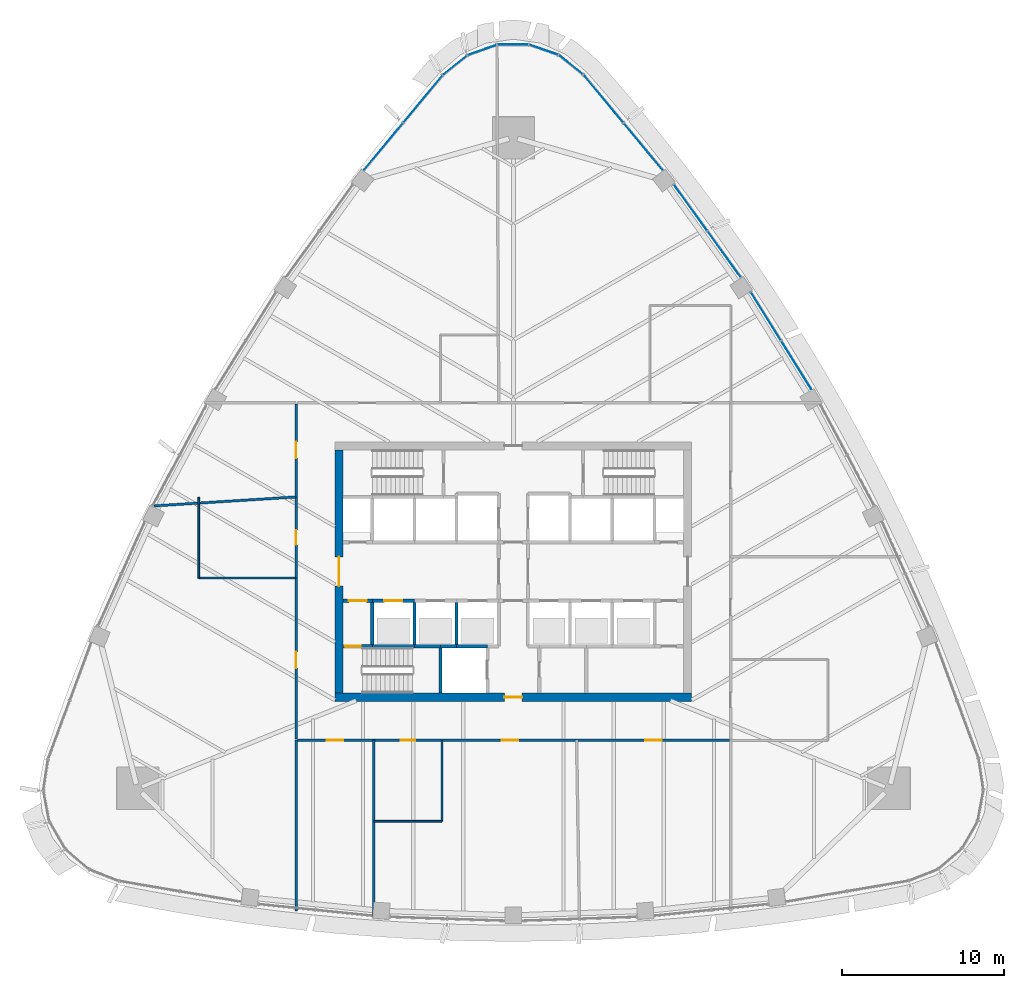
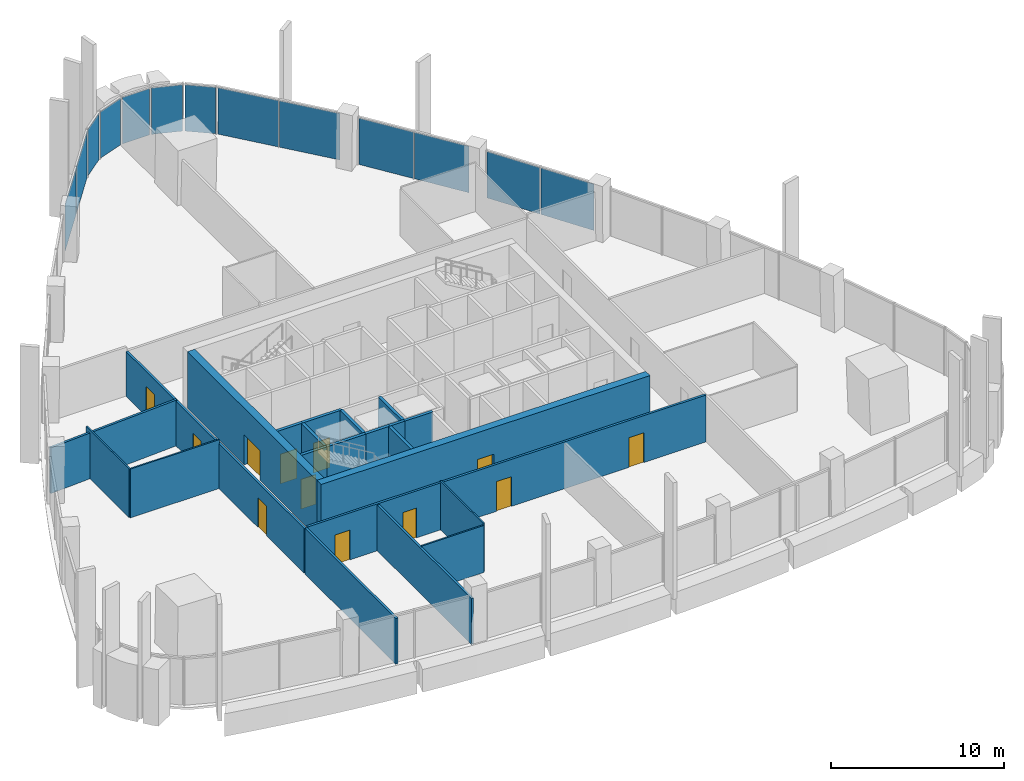
# One storey, part 9 of 19: 22 walls, 13 plates, 12 doors, 12 openings, 9 elements without a shape of their own.
"""IFC4 building model written with IfcOpenShell, lengths in metres."""

from ifc_helpers import new_model, si_unit, direction, frame, frame_2d, origin, origin_2d, place, context, subcontext, project, spatial, rectangle, extrude, material, layer, layer_set, type_object, element, fill, aggregate, save


model = new_model("IFC4")

# Units and contexts
model_context = context("Model", 3, precision=1e-05, world=origin(), true_north=direction((0.0, 1.0)))
body_context = subcontext(model_context, "Body", "Model", "MODEL_VIEW")
ifc_project = project(units=[si_unit("LENGTHUNIT", "METRE"), si_unit("AREAUNIT", "SQUARE_METRE"), si_unit("VOLUMEUNIT", "CUBIC_METRE"), si_unit("PLANEANGLEUNIT", "RADIAN"), si_unit("MASSUNIT", "GRAM", prefix="KILO")], contexts=[model_context])

# Site, building, storey
site_placement = place(None, origin())
site = spatial("IfcSite", under=ifc_project, at=site_placement, CompositionType="ELEMENT")
building_placement = place(site_placement, origin())
building = spatial("IfcBuilding", under=site, at=building_placement, Name="Sierra Prisma Convention Tower", CompositionType="ELEMENT")
storey_placement = place(building_placement, frame((0.0, 0.0, 193.800048828125)))
storey = spatial("IfcBuildingStorey", under=building, at=storey_placement, Name="L43", CompositionType="ELEMENT", Elevation=193.800048828125)

# Curtain wall, plates
ifc_material_1 = material(Name="Aluminium and glass curtain wall", Category="aluminium")
ifc_layer_1 = layer(ifc_material_1, 0.179931640625)
ifc_layer_set_1 = layer_set([ifc_layer_1], Name="CW-1 Plain shaft curtain wall")
curtain_wall_type = type_object("IfcCurtainWallType", Name="CW-1 Plain shaft curtain wall", PredefinedType="NOTDEFINED", material=ifc_layer_set_1)
curtain_wall_1_placement = place(storey_placement, origin())
curtain_wall_1 = element("IfcCurtainWall", 1, at=curtain_wall_1_placement, inside=storey, type_object=curtain_wall_type, Name="CW-1 NE4 L43", PredefinedType="NOTDEFINED")
ifc_material_2 = material(Name="Tinted glass bronze-grey IGU", Category="glass")
ifc_layer_2 = layer(ifc_material_2, 0.028076171875)
ifc_layer_set_2 = layer_set([ifc_layer_2], Name="CW-1 glass panel")
plate_type = type_object("IfcPlateType", Name="CW-1 glass panel", PredefinedType="CURTAIN_PANEL", material=ifc_layer_set_2)
plate_1_placement = place(storey_placement, frame((17.44921875, 12.73779296875, 0.0), z_axis=(0.0, 0.0, 1.0), x_axis=(-0.529043550017, 0.848594674851, 0.0)))
plate_1 = element("IfcPlate", 2, at=plate_1_placement, type_object=plate_type, Name="CW-1 panel NE4.1", PredefinedType="CURTAIN_PANEL", context=body_context, shape_type="SweptSolid", body=[
    extrude(rectangle(XDim=3.47607421875, YDim=0.028076171875, at=origin_2d()), origin(), (0.0, 0.0, 1.0), 3.280029296875),
])
plate_2_placement = place(storey_placement, frame((15.5732421875, 15.7470703125, 0.0), z_axis=(0.0, 0.0, 1.0), x_axis=(-0.529043550017, 0.848594674851, 0.0)))
plate_2 = element("IfcPlate", 3, at=plate_2_placement, type_object=plate_type, Name="CW-1 panel NE4.2", PredefinedType="CURTAIN_PANEL", context=body_context, shape_type="SweptSolid", body=[
    extrude(rectangle(XDim=3.47607421875, YDim=0.028076171875, at=origin_2d()), origin(), (0.0, 0.0, 1.0), 3.280029296875),
])
aggregate(curtain_wall_1, [plate_1, plate_2])

curtain_wall_2_placement = place(storey_placement, origin())
curtain_wall_2 = element("IfcCurtainWall", 4, at=curtain_wall_2_placement, inside=storey, type_object=curtain_wall_type, Name="CW-1 NE5 L43", PredefinedType="NOTDEFINED")
plate_3_placement = place(storey_placement, frame((12.999267578125, 19.581298828125, 0.0), z_axis=(0.0, 0.0, 1.0), x_axis=(-0.585277015926, 0.810833407445, 0.0)))
plate_3 = element("IfcPlate", 5, at=plate_3_placement, type_object=plate_type, Name="CW-1 panel NE5.1", PredefinedType="CURTAIN_PANEL", context=body_context, shape_type="SweptSolid", body=[
    extrude(rectangle(XDim=3.460693359375, YDim=0.028076171875, at=origin_2d()), origin(), (0.0, 0.0, 1.0), 3.280029296875),
])
plate_4_placement = place(storey_placement, frame((10.932861328125, 22.444091796875, 0.0), z_axis=(0.0, 0.0, 1.0), x_axis=(-0.585277015926, 0.810833407445, 0.0)))
plate_4 = element("IfcPlate", 6, at=plate_4_placement, type_object=plate_type, Name="CW-1 panel NE5.2", PredefinedType="CURTAIN_PANEL", context=body_context, shape_type="SweptSolid", body=[
    extrude(rectangle(XDim=3.460693359375, YDim=0.028076171875, at=origin_2d()), origin(), (0.0, 0.0, 1.0), 3.280029296875),
])
aggregate(curtain_wall_2, [plate_3, plate_4])

curtain_wall_3_placement = place(storey_placement, origin())
curtain_wall_3 = element("IfcCurtainWall", 7, at=curtain_wall_3_placement, inside=storey, type_object=curtain_wall_type, Name="CW-1 NE6 L43", PredefinedType="NOTDEFINED")
plate_5_placement = place(storey_placement, frame((8.00537109375, 26.21826171875, 0.0), z_axis=(0.0, 0.0, 1.0), x_axis=(-0.638825162992, 0.769351942305, 0.0)))
plate_5 = element("IfcPlate", 8, at=plate_5_placement, type_object=plate_type, Name="CW-1 panel NE6.1", PredefinedType="CURTAIN_PANEL", context=body_context, shape_type="SweptSolid", body=[
    extrude(rectangle(XDim=3.732177734375, YDim=0.028076171875, at=origin_2d()), origin(), (0.0, 0.0, 1.0), 3.280029296875),
])
plate_6_placement = place(storey_placement, frame((5.576416015625, 29.143310546875, 0.0), z_axis=(0.0, 0.0, 1.0), x_axis=(-0.638825162992, 0.769351942305, 0.0)))
plate_6 = element("IfcPlate", 9, at=plate_6_placement, type_object=plate_type, Name="CW-1 panel NE6.2", PredefinedType="CURTAIN_PANEL", context=body_context, shape_type="SweptSolid", body=[
    extrude(rectangle(XDim=3.732177734375, YDim=0.028076171875, at=origin_2d()), origin(), (0.0, 0.0, 1.0), 3.280029296875),
])
aggregate(curtain_wall_3, [plate_5, plate_6])

# Curtain wall, plate
curtain_wall_4_placement = place(storey_placement, origin())
curtain_wall_4 = element("IfcCurtainWall", 10, at=curtain_wall_4_placement, inside=storey, type_object=curtain_wall_type, Name="CW-1 N1 L43", PredefinedType="NOTDEFINED")
plate_7_placement = place(storey_placement, frame((3.578125, 31.24267578125, 0.0), z_axis=(0.0, 0.0, 1.0), x_axis=(-0.780606065445, 0.625023336037, 0.0)))
plate_7 = element("IfcPlate", 11, at=plate_7_placement, type_object=plate_type, Name="CW-1 panel N1.1", PredefinedType="CURTAIN_PANEL", context=body_context, shape_type="SweptSolid", body=[
    extrude(rectangle(XDim=1.81103515625, YDim=0.028076171875, at=origin_2d()), origin(), (0.0, 0.0, 1.0), 3.280029296875),
])
aggregate(curtain_wall_4, [plate_7])

curtain_wall_5_placement = place(storey_placement, origin())
curtain_wall_5 = element("IfcCurtainWall", 12, at=curtain_wall_5_placement, inside=storey, type_object=curtain_wall_type, Name="CW-1 N2 L43", PredefinedType="NOTDEFINED")
plate_8_placement = place(storey_placement, frame((1.89599609375, 32.175537109375, 0.0), z_axis=(0.0, 0.0, 1.0), x_axis=(-0.943558706561, 0.331205324945, 0.0)))
plate_8 = element("IfcPlate", 13, at=plate_8_placement, type_object=plate_type, Name="CW-1 panel N2.1", PredefinedType="CURTAIN_PANEL", context=body_context, shape_type="SweptSolid", body=[
    extrude(rectangle(XDim=1.81103515625, YDim=0.028076171875, at=origin_2d()), origin(), (0.0, 0.0, 1.0), 3.280029296875),
])
aggregate(curtain_wall_5, [plate_8])

curtain_wall_6_placement = place(storey_placement, origin())
curtain_wall_6 = element("IfcCurtainWall", 14, at=curtain_wall_6_placement, inside=storey, type_object=curtain_wall_type, Name="CW-1 N3 L43", PredefinedType="NOTDEFINED")
plate_9_placement = place(storey_placement, frame((0.0, 32.49853515625, 0.0), z_axis=(0.0, 0.0, 1.0), x_axis=(-1.0, 0.0, 0.0)))
plate_9 = element("IfcPlate", 15, at=plate_9_placement, type_object=plate_type, Name="CW-1 panel N3.1", PredefinedType="CURTAIN_PANEL", context=body_context, shape_type="SweptSolid", body=[
    extrude(rectangle(XDim=1.81103515625, YDim=0.028076171875, at=origin_2d()), origin(), (0.0, 0.0, 1.0), 3.280029296875),
])
aggregate(curtain_wall_6, [plate_9])

curtain_wall_7_placement = place(storey_placement, origin())
curtain_wall_7 = element("IfcCurtainWall", 16, at=curtain_wall_7_placement, inside=storey, type_object=curtain_wall_type, Name="CW-1 N4 L43", PredefinedType="NOTDEFINED")
plate_10_placement = place(storey_placement, frame((-1.89599609375, 32.175537109375, 0.0), z_axis=(0.0, 0.0, 1.0), x_axis=(-0.943558706561, -0.331205324945, 0.0)))
plate_10 = element("IfcPlate", 17, at=plate_10_placement, type_object=plate_type, Name="CW-1 panel N4.1", PredefinedType="CURTAIN_PANEL", context=body_context, shape_type="SweptSolid", body=[
    extrude(rectangle(XDim=1.81103515625, YDim=0.028076171875, at=origin_2d()), origin(), (0.0, 0.0, 1.0), 3.280029296875),
])
aggregate(curtain_wall_7, [plate_10])

curtain_wall_8_placement = place(storey_placement, origin())
curtain_wall_8 = element("IfcCurtainWall", 18, at=curtain_wall_8_placement, inside=storey, type_object=curtain_wall_type, Name="CW-1 N5 L43", PredefinedType="NOTDEFINED")
plate_11_placement = place(storey_placement, frame((-3.578125, 31.24267578125, 0.0), z_axis=(0.0, 0.0, 1.0), x_axis=(-0.780606065445, -0.625023336037, 0.0)))
plate_11 = element("IfcPlate", 19, at=plate_11_placement, type_object=plate_type, Name="CW-1 panel N5.1", PredefinedType="CURTAIN_PANEL", context=body_context, shape_type="SweptSolid", body=[
    extrude(rectangle(XDim=1.81103515625, YDim=0.028076171875, at=origin_2d()), origin(), (0.0, 0.0, 1.0), 3.280029296875),
])
aggregate(curtain_wall_8, [plate_11])

# Curtain wall, plates
curtain_wall_9_placement = place(storey_placement, origin())
curtain_wall_9 = element("IfcCurtainWall", 20, at=curtain_wall_9_placement, inside=storey, type_object=curtain_wall_type, Name="CW-1 NW1 L43", PredefinedType="NOTDEFINED")
plate_12_placement = place(storey_placement, frame((-5.576416015625, 29.143310546875, 0.0), z_axis=(0.0, 0.0, 1.0), x_axis=(-0.638825162992, -0.769351942305, 0.0)))
plate_12 = element("IfcPlate", 21, at=plate_12_placement, type_object=plate_type, Name="CW-1 panel NW1.1", PredefinedType="CURTAIN_PANEL", context=body_context, shape_type="SweptSolid", body=[
    extrude(rectangle(XDim=3.732177734375, YDim=0.028076171875, at=origin_2d()), origin(), (0.0, 0.0, 1.0), 3.280029296875),
])
plate_13_placement = place(storey_placement, frame((-8.00537109375, 26.21826171875, 0.0), z_axis=(0.0, 0.0, 1.0), x_axis=(-0.638825162992, -0.769351942305, 0.0)))
plate_13 = element("IfcPlate", 22, at=plate_13_placement, type_object=plate_type, Name="CW-1 panel NW1.2", PredefinedType="CURTAIN_PANEL", context=body_context, shape_type="SweptSolid", body=[
    extrude(rectangle(XDim=3.732177734375, YDim=0.028076171875, at=origin_2d()), origin(), (0.0, 0.0, 1.0), 3.280029296875),
])
aggregate(curtain_wall_9, [plate_12, plate_13])

# Walls
ifc_material_3 = material(Name="Gypsum board partition", Category="gypsum")
ifc_layer_3 = layer(ifc_material_3, 0.10009765625)
ifc_layer_set_3 = layer_set([ifc_layer_3], Name="Bathroom partition 100")
wall_type_1 = type_object("IfcWallType", Name="Bathroom partition 100", PredefinedType="PARTITIONING", material=ifc_layer_set_3)
wall_1_placement = place(storey_placement, frame((-13.429931640625, -0.39990234375, 0.0), z_axis=(0.0, 0.0, 1.0), x_axis=(-1.0, 0.0, 0.0)))
element("IfcWall", 23, at=wall_1_placement, inside=storey, type_object=wall_type_1, Name="Partition L43 bath 1", PredefinedType="PARTITIONING", context=body_context, shape_type="SweptSolid", body=[
    extrude(rectangle(XDim=5.969970703125, YDim=0.10009765625, at=frame_2d((2.98486328125, 0.0))), origin(), (0.0, 0.0, 1.0), 3.449951171875),
])
for number, where, z_axis, x_axis, name in (
    (24, (-19.39990234375, -0.39990234375, 0.0), (0.0, 0.0, 1.0), (0.0, 1.0, 0.0), "Partition L43 bath 2"),
    (25, (-4.39990234375, -10.429931640625, 0.0), (0.0, 0.0, 1.0), (0.0, -1.0, 0.0), "Partition L43 bath 3"),
):
    element("IfcWall", number, at=place(storey_placement, frame(where, z_axis=z_axis, x_axis=x_axis)), inside=storey, type_object=wall_type_1, Name=name, PredefinedType="PARTITIONING", context=body_context, shape_type="SweptSolid", body=[
        extrude(rectangle(XDim=4.969970703125, YDim=0.10009765625, at=frame_2d((2.48486328125, 0.0))), origin(), (0.0, 0.0, 1.0), 3.449951171875),
    ])
wall_2_placement = place(storey_placement, frame((-4.39990234375, -15.39990234375, 0.0), z_axis=(0.0, 0.0, 1.0), x_axis=(-1.0, 0.0, 0.0)))
element("IfcWall", 26, at=wall_2_placement, inside=storey, type_object=wall_type_1, Name="Partition L43 bath 4", PredefinedType="PARTITIONING", context=body_context, shape_type="SweptSolid", body=[
    extrude(rectangle(XDim=4.170166015625, YDim=0.10009765625, at=frame_2d((2.0849609375, 0.0))), origin(), (0.0, 0.0, 1.0), 3.31689453125),
])

# Wall, opening, door
ifc_material_4 = material(Name="Concrete C30/37", Category="concrete")
ifc_layer_4 = layer(ifc_material_4, 0.199951171875)
ifc_layer_set_4 = layer_set([ifc_layer_4], Name="Core wall RC 200 C30/37")
wall_type_2 = type_object("IfcWallType", Name="Core wall RC 200 C30/37", PredefinedType="SOLIDWALL", material=ifc_layer_set_4)
wall_3_placement = place(storey_placement, frame((-10.5, -4.60009765625, 0.0), z_axis=(0.0, 0.0, 1.0), x_axis=(1.0, 0.0, 0.0)))
wall_3 = element("IfcWall", 27, at=wall_3_placement, inside=storey, type_object=wall_type_2, Name="Core wall L43 1", PredefinedType="SOLIDWALL", context=body_context, shape_type="SweptSolid", body=[
    extrude(rectangle(XDim=1.800048828125, YDim=0.199951171875, at=frame_2d((0.89990234375, 0.0))), origin(), (0.0, 0.0, 1.0), 3.849853515625),
])
opening_1_placement = place(wall_3_placement, frame((0.10009765625, 0.0, 0.0)))
opening_1 = element("IfcOpeningElement", 28, at=opening_1_placement, cuts=wall_3, Name="Opening L43-D017", PredefinedType="OPENING", context=body_context, shape_type="SweptSolid", body=[
    extrude(rectangle(XDim=1.0, YDim=2.10009765625, at=frame_2d((0.5, 1.050048828125))), frame((0.0, 0.10009765625, 0.0), z_axis=(0.0, -1.0, 0.0), x_axis=(1.0, 0.0, 0.0)), (0.0, 0.0, 1.0), 0.199951171875),
])
ifc_material_5 = material(Name="Steel fire door leaf", Category="steel")
door_type_1 = type_object("IfcDoorType", Name="Door 1000x2100 FD90S", OperationType="SINGLE_SWING_LEFT", PredefinedType="DOOR", material=ifc_material_5)
door_1_placement = place(opening_1_placement, origin())
door_1 = element("IfcDoor", 29, at=door_1_placement, inside=storey, type_object=door_type_1, Name="Door L43 31", OperationType="SINGLE_SWING_LEFT", OverallHeight=2.10009765625, OverallWidth=1.0, PredefinedType="DOOR", context=body_context, shape_type="SweptSolid", body=[
    extrude(rectangle(XDim=1.0, YDim=2.10009765625, at=frame_2d((0.5, 1.050048828125))), frame((0.0, 0.02490234375, 0.0), z_axis=(0.0, -1.0, 0.0), x_axis=(1.0, 0.0, 0.0)), (0.0, 0.0, 1.0), 0.050048828125),
])
fill(opening_1, door_1)

wall_4_placement = place(storey_placement, frame((-10.5, -1.800048828125, 0.0), z_axis=(0.0, 0.0, 1.0), x_axis=(1.0, 0.0, 0.0)))
wall_4 = element("IfcWall", 30, at=wall_4_placement, inside=storey, type_object=wall_type_2, Name="Core wall L43 2", PredefinedType="SOLIDWALL", context=body_context, shape_type="SweptSolid", body=[
    extrude(rectangle(XDim=1.800048828125, YDim=0.199951171875, at=frame_2d((0.89990234375, 0.0))), origin(), (0.0, 0.0, 1.0), 3.849853515625),
])
opening_2_placement = place(wall_4_placement, frame((0.35009765625, 0.0, 0.0)))
opening_2 = element("IfcOpeningElement", 31, at=opening_2_placement, cuts=wall_4, Name="Opening L43-D012", PredefinedType="OPENING", context=body_context, shape_type="SweptSolid", body=[
    extrude(rectangle(XDim=1.10009765625, YDim=2.10009765625, at=frame_2d((0.550048828125, 1.050048828125))), frame((0.0, 0.10009765625, 0.0), z_axis=(0.0, -1.0, 0.0), x_axis=(1.0, 0.0, 0.0)), (0.0, 0.0, 1.0), 0.199951171875),
])
ifc_material_6 = material(Name="Steel fire door leaf", Category="steel")
door_type_2 = type_object("IfcDoorType", Name="Door 1100x2100 FD90S", OperationType="SINGLE_SWING_LEFT", PredefinedType="DOOR", material=ifc_material_6)
door_2_placement = place(opening_2_placement, origin())
door_2 = element("IfcDoor", 32, at=door_2_placement, inside=storey, type_object=door_type_2, Name="Door L43 26", OperationType="SINGLE_SWING_LEFT", OverallHeight=2.10009765625, OverallWidth=1.10009765625, PredefinedType="DOOR", context=body_context, shape_type="SweptSolid", body=[
    extrude(rectangle(XDim=1.10009765625, YDim=2.10009765625, at=frame_2d((0.550048828125, 1.050048828125))), frame((0.0, 0.02490234375, 0.0), z_axis=(0.0, -1.0, 0.0), x_axis=(1.0, 0.0, 0.0)), (0.0, 0.0, 1.0), 0.050048828125),
])
fill(opening_2, door_2)

# Walls
wall_5_placement = place(storey_placement, frame((-8.699951171875, -4.60009765625, 0.0), z_axis=(0.0, 0.0, 1.0), x_axis=(1.0, 0.0, 0.0)))
element("IfcWall", 33, at=wall_5_placement, inside=storey, type_object=wall_type_2, Name="Core wall L43 5", PredefinedType="SOLIDWALL", context=body_context, shape_type="SweptSolid", body=[
    extrude(rectangle(XDim=2.599853515625, YDim=0.199951171875, at=frame_2d((1.2998046875, 0.0))), origin(), (0.0, 0.0, 1.0), 3.849853515625),
])
wall_6_placement = place(storey_placement, frame((-8.699951171875, -4.60009765625, 0.0), z_axis=(0.0, 0.0, 1.0), x_axis=(0.0, 1.0, 0.0)))
element("IfcWall", 34, at=wall_6_placement, inside=storey, type_object=wall_type_2, Name="Core wall L43 6", PredefinedType="SOLIDWALL", context=body_context, shape_type="SweptSolid", body=[
    extrude(rectangle(XDim=2.800048828125, YDim=0.199951171875, at=frame_2d((1.39990234375, 0.0))), origin(), (0.0, 0.0, 1.0), 3.849853515625),
])

# Wall, opening, door
wall_7_placement = place(storey_placement, frame((-8.699951171875, -1.800048828125, 0.0), z_axis=(0.0, 0.0, 1.0), x_axis=(1.0, 0.0, 0.0)))
wall_7 = element("IfcWall", 35, at=wall_7_placement, inside=storey, type_object=wall_type_2, Name="Core wall L43 7", PredefinedType="SOLIDWALL", context=body_context, shape_type="SweptSolid", body=[
    extrude(rectangle(XDim=2.599853515625, YDim=0.199951171875, at=frame_2d((1.2998046875, 0.0))), origin(), (0.0, 0.0, 1.0), 3.849853515625),
])
opening_3_placement = place(wall_7_placement, frame((0.75, 0.0, 0.0)))
opening_3 = element("IfcOpeningElement", 36, at=opening_3_placement, cuts=wall_7, Name="Opening L43-D001", PredefinedType="OPENING", context=body_context, shape_type="SweptSolid", body=[
    extrude(rectangle(XDim=1.10009765625, YDim=2.10009765625, at=frame_2d((0.550048828125, 1.050048828125))), frame((0.0, 0.10009765625, 0.0), z_axis=(0.0, -1.0, 0.0), x_axis=(1.0, 0.0, 0.0)), (0.0, 0.0, 1.0), 0.199951171875),
])
ifc_material_7 = material(Name="Steel fire door leaf", Category="steel")
door_type_3 = type_object("IfcDoorType", Name="Door 1100x2100 EI 90 sliding lift landing", OperationType="SLIDING_TO_LEFT", PredefinedType="DOOR", material=ifc_material_7)
door_3_placement = place(opening_3_placement, origin())
door_3 = element("IfcDoor", 37, at=door_3_placement, inside=storey, type_object=door_type_3, Name="Door L43 15", OperationType="SLIDING_TO_LEFT", OverallHeight=2.10009765625, OverallWidth=1.10009765625, PredefinedType="DOOR", context=body_context, shape_type="SweptSolid", body=[
    extrude(rectangle(XDim=1.10009765625, YDim=2.10009765625, at=frame_2d((0.550048828125, 1.050048828125))), frame((0.0, 0.02490234375, 0.0), z_axis=(0.0, -1.0, 0.0), x_axis=(1.0, 0.0, 0.0)), (0.0, 0.0, 1.0), 0.050048828125),
])
fill(opening_3, door_3)

# Walls
wall_8_placement = place(storey_placement, frame((-6.10009765625, -4.60009765625, 0.0), z_axis=(0.0, 0.0, 1.0), x_axis=(1.0, 0.0, 0.0)))
element("IfcWall", 38, at=wall_8_placement, inside=storey, type_object=wall_type_2, Name="Core wall L43 11", PredefinedType="SOLIDWALL", context=body_context, shape_type="SweptSolid", body=[
    extrude(rectangle(XDim=1.60009765625, YDim=0.199951171875, at=frame_2d((0.800048828125, 0.0))), origin(), (0.0, 0.0, 1.0), 3.849853515625),
])
wall_9_placement = place(storey_placement, frame((-6.10009765625, -4.60009765625, 0.0), z_axis=(0.0, 0.0, 1.0), x_axis=(0.0, 1.0, 0.0)))
element("IfcWall", 39, at=wall_9_placement, inside=storey, type_object=wall_type_2, Name="Core wall L43 12", PredefinedType="SOLIDWALL", context=body_context, shape_type="SweptSolid", body=[
    extrude(rectangle(XDim=2.800048828125, YDim=0.199951171875, at=frame_2d((1.39990234375, 0.0))), origin(), (0.0, 0.0, 1.0), 3.849853515625),
])
wall_10_placement = place(storey_placement, frame((-4.5, -4.60009765625, 0.0), z_axis=(0.0, 0.0, 1.0), x_axis=(0.0, -1.0, 0.0)))
element("IfcWall", 40, at=wall_10_placement, inside=storey, type_object=wall_type_2, Name="Core wall L43 17", PredefinedType="SOLIDWALL", context=body_context, shape_type="SweptSolid", body=[
    extrude(rectangle(XDim=2.89990234375, YDim=0.199951171875, at=frame_2d((1.449951171875, 0.0))), origin(), (0.0, 0.0, 1.0), 3.849853515625),
])
wall_11_placement = place(storey_placement, frame((-4.5, -4.60009765625, 0.0), z_axis=(0.0, 0.0, 1.0), x_axis=(1.0, 0.0, 0.0)))
element("IfcWall", 41, at=wall_11_placement, inside=storey, type_object=wall_type_2, Name="Core wall L43 18", PredefinedType="SOLIDWALL", context=body_context, shape_type="SweptSolid", body=[
    extrude(rectangle(XDim=1.0, YDim=0.199951171875, at=frame_2d((0.5, 0.0))), origin(), (0.0, 0.0, 1.0), 3.849853515625),
])
wall_12_placement = place(storey_placement, frame((-3.5, -4.60009765625, 0.0), z_axis=(0.0, 0.0, 1.0), x_axis=(1.0, 0.0, 0.0)))
element("IfcWall", 42, at=wall_12_placement, inside=storey, type_object=wall_type_2, Name="Core wall L43 21", PredefinedType="SOLIDWALL", context=body_context, shape_type="SweptSolid", body=[
    extrude(rectangle(XDim=1.89990234375, YDim=0.199951171875, at=frame_2d((0.949951171875, 0.0))), origin(), (0.0, 0.0, 1.0), 3.849853515625),
])
wall_13_placement = place(storey_placement, frame((-3.5, -4.60009765625, 0.0), z_axis=(0.0, 0.0, 1.0), x_axis=(0.0, 1.0, 0.0)))
element("IfcWall", 43, at=wall_13_placement, inside=storey, type_object=wall_type_2, Name="Core wall L43 22", PredefinedType="SOLIDWALL", context=body_context, shape_type="SweptSolid", body=[
    extrude(rectangle(XDim=2.800048828125, YDim=0.199951171875, at=frame_2d((1.39990234375, 0.0))), origin(), (0.0, 0.0, 1.0), 3.849853515625),
])

# Wall, opening, door
ifc_material_8 = material(Name="Concrete C60/75", Category="concrete")
ifc_layer_5 = layer(ifc_material_8, 0.5)
ifc_layer_set_5 = layer_set([ifc_layer_5], Name="Core wall RC 500 C60/75")
wall_type_3 = type_object("IfcWallType", Name="Core wall RC 500 C60/75", PredefinedType="SHEAR", material=ifc_layer_set_5)
wall_14_placement = place(storey_placement, frame((-11.0, -7.75, 0.0), z_axis=(0.0, 0.0, 1.0), x_axis=(1.0, 0.0, 0.0)))
wall_14 = element("IfcWall", 44, at=wall_14_placement, inside=storey, type_object=wall_type_3, Name="Core wall S L43", PredefinedType="SHEAR", context=body_context, shape_type="SweptSolid", body=[
    extrude(rectangle(XDim=22.0, YDim=0.5, at=frame_2d((11.0, 0.0))), origin(), (0.0, 0.0, 1.0), 4.0),
])
opening_4_placement = place(wall_14_placement, frame((10.449951171875, 0.0, 0.0)))
opening_4 = element("IfcOpeningElement", 45, at=opening_4_placement, cuts=wall_14, Name="Opening L43-D039", PredefinedType="OPENING", context=body_context, shape_type="SweptSolid", body=[
    extrude(rectangle(XDim=1.10009765625, YDim=2.10009765625, at=frame_2d((0.550048828125, 1.050048828125))), frame((0.0, 0.25, 0.0), z_axis=(0.0, -1.0, 0.0), x_axis=(1.0, 0.0, 0.0)), (0.0, 0.0, 1.0), 0.5),
])
ifc_material_9 = material(Name="Steel fire door leaf", Category="steel")
door_type_4 = type_object("IfcDoorType", Name="Door 1100x2100 FD30S", OperationType="SINGLE_SWING_LEFT", PredefinedType="DOOR", material=ifc_material_9)
door_4_placement = place(opening_4_placement, origin())
door_4 = element("IfcDoor", 46, at=door_4_placement, inside=storey, type_object=door_type_4, Name="Door L43 40", OperationType="SINGLE_SWING_LEFT", OverallHeight=2.10009765625, OverallWidth=1.10009765625, PredefinedType="DOOR", context=body_context, shape_type="SweptSolid", body=[
    extrude(rectangle(XDim=1.10009765625, YDim=2.10009765625, at=frame_2d((0.550048828125, 1.050048828125))), frame((0.0, 0.02490234375, 0.0), z_axis=(0.0, -1.0, 0.0), x_axis=(1.0, 0.0, 0.0)), (0.0, 0.0, 1.0), 0.050048828125),
])
fill(opening_4, door_4)

wall_15_placement = place(storey_placement, frame((-10.75, -7.5, 0.0), z_axis=(0.0, 0.0, 1.0), x_axis=(0.0, 1.0, 0.0)))
wall_15 = element("IfcWall", 47, at=wall_15_placement, inside=storey, type_object=wall_type_3, Name="Core wall W L43", PredefinedType="SHEAR", context=body_context, shape_type="SweptSolid", body=[
    extrude(rectangle(XDim=15.0, YDim=0.5, at=frame_2d((7.5, 0.0))), origin(), (0.0, 0.0, 1.0), 4.0),
])
opening_5_placement = place(wall_15_placement, frame((6.60009765625, 0.0, 0.0)))
opening_5 = element("IfcOpeningElement", 48, at=opening_5_placement, cuts=wall_15, Name="Opening L43-D040", PredefinedType="OPENING", context=body_context, shape_type="SweptSolid", body=[
    extrude(rectangle(XDim=1.800048828125, YDim=2.10009765625, at=frame_2d((0.89990234375, 1.050048828125))), frame((0.0, 0.25, 0.0), z_axis=(0.0, -1.0, 0.0), x_axis=(1.0, 0.0, 0.0)), (0.0, 0.0, 1.0), 0.5),
])
ifc_material_10 = material(Name="Steel fire door leaf", Category="steel")
door_type_5 = type_object("IfcDoorType", Name="Door 1800x2100 FD60S", OperationType="DOUBLE_DOOR_SINGLE_SWING", PredefinedType="DOOR", material=ifc_material_10)
door_5_placement = place(opening_5_placement, origin())
door_5 = element("IfcDoor", 49, at=door_5_placement, inside=storey, type_object=door_type_5, Name="Door L43 37", OperationType="DOUBLE_DOOR_SINGLE_SWING", OverallHeight=2.10009765625, OverallWidth=1.800048828125, PredefinedType="DOOR", context=body_context, shape_type="SweptSolid", body=[
    extrude(rectangle(XDim=1.800048828125, YDim=2.10009765625, at=frame_2d((0.89990234375, 1.050048828125))), frame((0.0, 0.02490234375, 0.0), z_axis=(0.0, -1.0, 0.0), x_axis=(1.0, 0.0, 0.0)), (0.0, 0.0, 1.0), 0.050048828125),
])
fill(opening_5, door_5)

# Wall, openings, doors
ifc_material_11 = material(Name="Gypsum board partition", Category="gypsum")
ifc_layer_6 = layer(ifc_material_11, 0.14990234375)
ifc_layer_set_6 = layer_set([ifc_layer_6], Name="Corridor wall 150 gypsum EI 60")
wall_type_4 = type_object("IfcWallType", Name="Corridor wall 150 gypsum EI 60", PredefinedType="PARTITIONING", material=ifc_layer_set_6)
wall_16_placement = place(storey_placement, frame((-13.39990234375, 10.320068359375, 0.0), z_axis=(0.0, 0.0, 1.0), x_axis=(0.0, -1.0, 0.0)))
wall_16 = element("IfcWall", 50, at=wall_16_placement, inside=storey, type_object=wall_type_4, Name="Partition L43 corr 1", PredefinedType="PARTITIONING", context=body_context, shape_type="SweptSolid", body=[
    extrude(rectangle(XDim=20.64013671875, YDim=0.14990234375, at=frame_2d((10.320068359375, 0.0))), origin(), (0.0, 0.0, 1.0), 3.166015625),
])
opening_6_placement = place(wall_16_placement, frame((2.320068359375, 0.0, 0.0)))
opening_6 = element("IfcOpeningElement", 51, at=opening_6_placement, cuts=wall_16, Name="Opening L43-D028", PredefinedType="OPENING", context=body_context, shape_type="SweptSolid", body=[
    extrude(rectangle(XDim=1.0, YDim=2.10009765625, at=frame_2d((0.5, 1.050048828125))), frame((0.0, 0.074951171875, 0.0), z_axis=(0.0, -1.0, 0.0), x_axis=(1.0, 0.0, 0.0)), (0.0, 0.0, 1.0), 0.14990234375),
])
opening_7_placement = place(wall_16_placement, frame((7.77001953125, 0.0, 0.0)))
opening_7 = element("IfcOpeningElement", 52, at=opening_7_placement, cuts=wall_16, Name="Opening L43-D029", PredefinedType="OPENING", context=body_context, shape_type="SweptSolid", body=[
    extrude(rectangle(XDim=0.89990234375, YDim=2.10009765625, at=frame_2d((0.449951171875, 1.050048828125))), frame((0.0, 0.074951171875, 0.0), z_axis=(0.0, -1.0, 0.0), x_axis=(1.0, 0.0, 0.0)), (0.0, 0.0, 1.0), 0.14990234375),
])
opening_8_placement = place(wall_16_placement, frame((15.280029296875, 0.0, 0.0)))
opening_8 = element("IfcOpeningElement", 53, at=opening_8_placement, cuts=wall_16, Name="Opening L43-D030", PredefinedType="OPENING", context=body_context, shape_type="SweptSolid", body=[
    extrude(rectangle(XDim=1.0, YDim=2.10009765625, at=frame_2d((0.5, 1.050048828125))), frame((0.0, 0.074951171875, 0.0), z_axis=(0.0, -1.0, 0.0), x_axis=(1.0, 0.0, 0.0)), (0.0, 0.0, 1.0), 0.14990234375),
])
ifc_material_12 = material(Name="Steel fire door leaf", Category="steel")
door_type_6 = type_object("IfcDoorType", Name="Door 1000x2100 FD30S", OperationType="SINGLE_SWING_LEFT", PredefinedType="DOOR", material=ifc_material_12)
door_6_placement = place(opening_6_placement, origin())
door_6 = element("IfcDoor", 54, at=door_6_placement, inside=storey, type_object=door_type_6, Name="Door L43 6", OperationType="SINGLE_SWING_LEFT", OverallHeight=2.10009765625, OverallWidth=1.0, PredefinedType="DOOR", context=body_context, shape_type="SweptSolid", body=[
    extrude(rectangle(XDim=1.0, YDim=2.10009765625, at=frame_2d((0.5, 1.050048828125))), frame((0.0, 0.02490234375, 0.0), z_axis=(0.0, -1.0, 0.0), x_axis=(1.0, 0.0, 0.0)), (0.0, 0.0, 1.0), 0.050048828125),
])
fill(opening_6, door_6)
door_7_placement = place(opening_8_placement, origin())
door_7 = element("IfcDoor", 55, at=door_7_placement, inside=storey, type_object=door_type_6, Name="Door L43 8", OperationType="SINGLE_SWING_RIGHT", OverallHeight=2.10009765625, OverallWidth=1.0, PredefinedType="DOOR", context=body_context, shape_type="SweptSolid", body=[
    extrude(rectangle(XDim=1.0, YDim=2.10009765625, at=frame_2d((0.5, 1.050048828125))), frame((0.0, 0.02490234375, 0.0), z_axis=(0.0, -1.0, 0.0), x_axis=(1.0, 0.0, 0.0)), (0.0, 0.0, 1.0), 0.050048828125),
])
fill(opening_8, door_7)
ifc_material_13 = material(Name="Steel fire door leaf", Category="steel")
door_type_7 = type_object("IfcDoorType", Name="Door 900x2100 FD30S", OperationType="SINGLE_SWING_LEFT", PredefinedType="DOOR", material=ifc_material_13)
door_8_placement = place(opening_7_placement, origin())
door_8 = element("IfcDoor", 56, at=door_8_placement, inside=storey, type_object=door_type_7, Name="Door L43 7", OperationType="SINGLE_SWING_RIGHT", OverallHeight=2.10009765625, OverallWidth=0.89990234375, PredefinedType="DOOR", context=body_context, shape_type="SweptSolid", body=[
    extrude(rectangle(XDim=0.89990234375, YDim=2.10009765625, at=frame_2d((0.449951171875, 1.050048828125))), frame((0.0, 0.02490234375, 0.0), z_axis=(0.0, -1.0, 0.0), x_axis=(1.0, 0.0, 0.0)), (0.0, 0.0, 1.0), 0.050048828125),
])
fill(opening_7, door_8)

wall_17_placement = place(storey_placement, frame((-13.320068359375, -10.39990234375, 0.0), z_axis=(0.0, 0.0, 1.0), x_axis=(1.0, 0.0, 0.0)))
wall_17 = element("IfcWall", 57, at=wall_17_placement, inside=storey, type_object=wall_type_4, Name="Partition L43 corr 2", PredefinedType="PARTITIONING", context=body_context, shape_type="SweptSolid", body=[
    extrude(rectangle(XDim=26.64013671875, YDim=0.14990234375, at=frame_2d((13.320068359375, 0.0))), origin(), (0.0, 0.0, 1.0), 3.31689453125),
])
opening_9_placement = place(wall_17_placement, frame((1.820068359375, 0.0, 0.0)))
opening_9 = element("IfcOpeningElement", 58, at=opening_9_placement, cuts=wall_17, Name="Opening L43-D031", PredefinedType="OPENING", context=body_context, shape_type="SweptSolid", body=[
    extrude(rectangle(XDim=1.0, YDim=2.10009765625, at=frame_2d((0.5, 1.050048828125))), frame((0.0, 0.074951171875, 0.0), z_axis=(0.0, -1.0, 0.0), x_axis=(1.0, 0.0, 0.0)), (0.0, 0.0, 1.0), 0.14990234375),
])
opening_10_placement = place(wall_17_placement, frame((6.3701171875, 0.0, 0.0)))
opening_10 = element("IfcOpeningElement", 59, at=opening_10_placement, cuts=wall_17, Name="Opening L43-D032", PredefinedType="OPENING", context=body_context, shape_type="SweptSolid", body=[
    extrude(rectangle(XDim=0.89990234375, YDim=2.10009765625, at=frame_2d((0.449951171875, 1.050048828125))), frame((0.0, 0.074951171875, 0.0), z_axis=(0.0, -1.0, 0.0), x_axis=(1.0, 0.0, 0.0)), (0.0, 0.0, 1.0), 0.14990234375),
])
opening_11_placement = place(wall_17_placement, frame((12.6201171875, 0.0, 0.0)))
opening_11 = element("IfcOpeningElement", 60, at=opening_11_placement, cuts=wall_17, Name="Opening L43-D033", PredefinedType="OPENING", context=body_context, shape_type="SweptSolid", body=[
    extrude(rectangle(XDim=1.0, YDim=2.10009765625, at=frame_2d((0.5, 1.050048828125))), frame((0.0, 0.074951171875, 0.0), z_axis=(0.0, -1.0, 0.0), x_axis=(1.0, 0.0, 0.0)), (0.0, 0.0, 1.0), 0.14990234375),
])
opening_12_placement = place(wall_17_placement, frame((21.469970703125, 0.0, 0.0)))
opening_12 = element("IfcOpeningElement", 61, at=opening_12_placement, cuts=wall_17, Name="Opening L43-D034", PredefinedType="OPENING", context=body_context, shape_type="SweptSolid", body=[
    extrude(rectangle(XDim=1.0, YDim=2.10009765625, at=frame_2d((0.5, 1.050048828125))), frame((0.0, 0.074951171875, 0.0), z_axis=(0.0, -1.0, 0.0), x_axis=(1.0, 0.0, 0.0)), (0.0, 0.0, 1.0), 0.14990234375),
])
door_9_placement = place(opening_9_placement, origin())
door_9 = element("IfcDoor", 62, at=door_9_placement, inside=storey, type_object=door_type_6, Name="Door L43 9", OperationType="SINGLE_SWING_LEFT", OverallHeight=2.10009765625, OverallWidth=1.0, PredefinedType="DOOR", context=body_context, shape_type="SweptSolid", body=[
    extrude(rectangle(XDim=1.0, YDim=2.10009765625, at=frame_2d((0.5, 1.050048828125))), frame((0.0, 0.02490234375, 0.0), z_axis=(0.0, -1.0, 0.0), x_axis=(1.0, 0.0, 0.0)), (0.0, 0.0, 1.0), 0.050048828125),
])
fill(opening_9, door_9)
door_10_placement = place(opening_11_placement, origin())
door_10 = element("IfcDoor", 63, at=door_10_placement, inside=storey, type_object=door_type_6, Name="Door L43 11", OperationType="SINGLE_SWING_RIGHT", OverallHeight=2.10009765625, OverallWidth=1.0, PredefinedType="DOOR", context=body_context, shape_type="SweptSolid", body=[
    extrude(rectangle(XDim=1.0, YDim=2.10009765625, at=frame_2d((0.5, 1.050048828125))), frame((0.0, 0.02490234375, 0.0), z_axis=(0.0, -1.0, 0.0), x_axis=(1.0, 0.0, 0.0)), (0.0, 0.0, 1.0), 0.050048828125),
])
fill(opening_11, door_10)
door_11_placement = place(opening_12_placement, origin())
door_11 = element("IfcDoor", 64, at=door_11_placement, inside=storey, type_object=door_type_6, Name="Door L43 12", OperationType="SINGLE_SWING_RIGHT", OverallHeight=2.10009765625, OverallWidth=1.0, PredefinedType="DOOR", context=body_context, shape_type="SweptSolid", body=[
    extrude(rectangle(XDim=1.0, YDim=2.10009765625, at=frame_2d((0.5, 1.050048828125))), frame((0.0, 0.02490234375, 0.0), z_axis=(0.0, -1.0, 0.0), x_axis=(1.0, 0.0, 0.0)), (0.0, 0.0, 1.0), 0.050048828125),
])
fill(opening_12, door_11)
door_12_placement = place(opening_10_placement, origin())
door_12 = element("IfcDoor", 65, at=door_12_placement, inside=storey, type_object=door_type_7, Name="Door L43 10", OperationType="SINGLE_SWING_RIGHT", OverallHeight=2.10009765625, OverallWidth=0.89990234375, PredefinedType="DOOR", context=body_context, shape_type="SweptSolid", body=[
    extrude(rectangle(XDim=0.89990234375, YDim=2.10009765625, at=frame_2d((0.449951171875, 1.050048828125))), frame((0.0, 0.02490234375, 0.0), z_axis=(0.0, -1.0, 0.0), x_axis=(1.0, 0.0, 0.0)), (0.0, 0.0, 1.0), 0.050048828125),
])
fill(opening_10, door_12)

# Walls
ifc_material_14 = material(Name="Gypsum board partition", Category="gypsum")
ifc_layer_7 = layer(ifc_material_14, 0.14990234375)
ifc_layer_set_7 = layer_set([ifc_layer_7], Name="Party wall 150 gypsum")
wall_type_5 = type_object("IfcWallType", Name="Party wall 150 gypsum", PredefinedType="PARTITIONING", material=ifc_layer_set_7)
wall_18_placement = place(storey_placement, frame((-13.39990234375, 4.60009765625, 0.0), z_axis=(0.0, 0.0, 1.0), x_axis=(-0.998024766406, -0.062821697216, 0.0)))
element("IfcWall", 66, at=wall_18_placement, inside=storey, type_object=wall_type_5, Name="Partition L43 party 1", PredefinedType="PARTITIONING", context=body_context, shape_type="SweptSolid", body=[
    extrude(rectangle(XDim=8.775146484375, YDim=0.14990234375, at=frame_2d((4.3876953125, 0.0))), origin(), (0.0, 0.0, 1.0), 3.23388671875),
])
wall_19_placement = place(storey_placement, frame((-13.39990234375, -10.39990234375, 0.0), z_axis=(0.0, 0.0, 1.0), x_axis=(0.0, -1.0, 0.0)))
element("IfcWall", 67, at=wall_19_placement, inside=storey, type_object=wall_type_5, Name="Partition L43 party 3", PredefinedType="PARTITIONING", context=body_context, shape_type="SweptSolid", body=[
    extrude(rectangle(XDim=10.53955078125, YDim=0.14990234375, at=frame_2d((5.269775390625, 0.0))), origin(), (0.0, 0.0, 1.0), 3.23388671875),
])
wall_20_placement = place(storey_placement, frame((-8.60009765625, -10.39990234375, 0.0), z_axis=(0.0, 0.0, 1.0), x_axis=(0.0, -1.0, 0.0)))
element("IfcWall", 68, at=wall_20_placement, inside=storey, type_object=wall_type_5, Name="Partition L43 party 4", PredefinedType="PARTITIONING", context=body_context, shape_type="SweptSolid", body=[
    extrude(rectangle(XDim=10.98046875, YDim=0.14990234375, at=frame_2d((5.490234375, 0.0))), origin(), (0.0, 0.0, 1.0), 3.23388671875),
])

save(model, "model.ifc")
